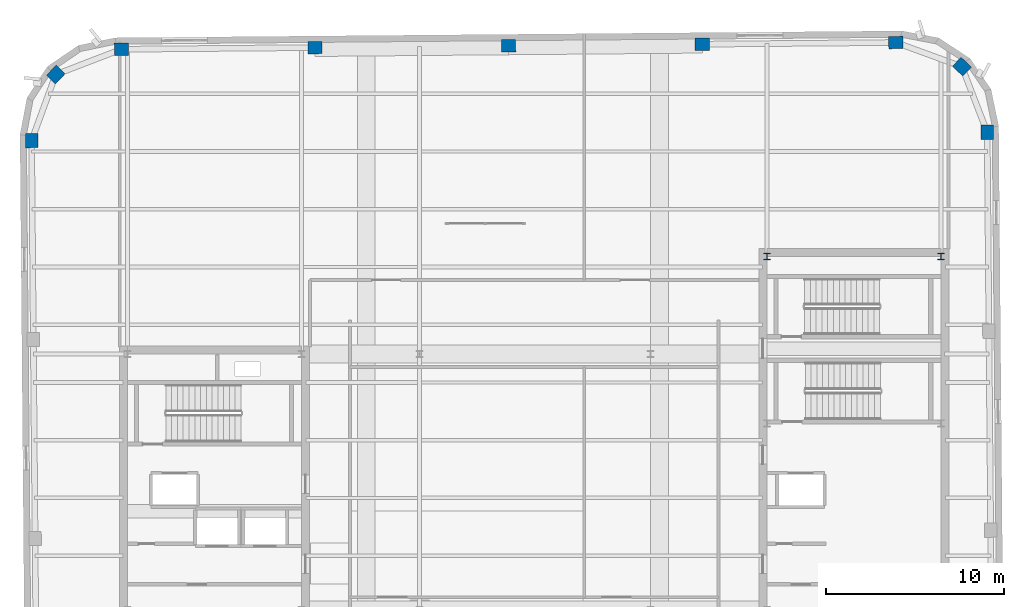
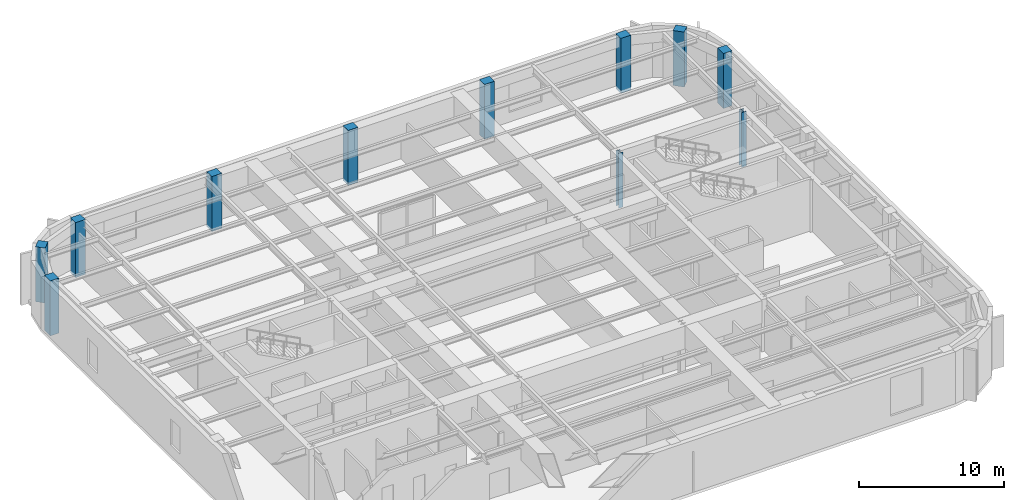
# One storey, part 3 of 14: 11 columns.
"""IFC4 building model written with IfcOpenShell, lengths in metres."""

from ifc_helpers import new_model, si_unit, direction, frame, origin, origin_2d, place, context, subcontext, project, spatial, rectangle, i_section, extrude, material, material_profile, profile_set, type_object, element, save


model = new_model("IFC4")

# Units and contexts
model_context = context("Model", 3, precision=1e-05, world=origin(), true_north=direction((0.0, 1.0)))
body_context = subcontext(model_context, "Body", "Model", "MODEL_VIEW")
ifc_project = project(units=[si_unit("LENGTHUNIT", "METRE"), si_unit("AREAUNIT", "SQUARE_METRE"), si_unit("VOLUMEUNIT", "CUBIC_METRE"), si_unit("PLANEANGLEUNIT", "RADIAN"), si_unit("MASSUNIT", "GRAM", prefix="KILO")], contexts=[model_context])

# Site, building, storey
site_placement = place(None, origin())
site = spatial("IfcSite", under=ifc_project, at=site_placement, CompositionType="ELEMENT")
building_placement = place(site_placement, origin())
building = spatial("IfcBuilding", under=site, at=building_placement, Name="Kolvaren Arena Tower", CompositionType="ELEMENT")
storey_placement = place(building_placement, frame((0.0, 0.0, 317.199951171875)))
storey = spatial("IfcBuildingStorey", under=building, at=storey_placement, Name="L78", CompositionType="ELEMENT", Elevation=317.199951171875)

# Columns
ifc_material_1 = material(Name="Precast concrete C50/60", Category="concrete")
ifc_material_profile_1 = material_profile(ifc_material_1, rectangle(XDim=0.800048828125, YDim=0.699951171875, at=origin_2d()), Name="RC-800x700")
ifc_profile_set_1 = profile_set([ifc_material_profile_1], Name="Precast concrete C50/60")
column_type_1 = type_object("IfcColumnType", Name="EXCOL-Z5", PredefinedType="COLUMN", material=ifc_profile_set_1)
for number, where, z_axis, x_axis, name in (
    (1, (62.952392578125, 46.333984375, -0.239990234375), (0.0, 0.0, 1.0), (-0.008726535498, 0.999961923064, 0.0), "Exoskeleton Perimeter Column 10 (L78)"),
    (2, (61.52880859375, 50.030517578125, -0.239990234375), (0.0, 0.0, 1.0), (-0.713250449154, 0.7009092643, 0.0), "Exoskeleton Perimeter Column 11 (L78)"),
    (3, (57.80810546875, 51.389404296875, -0.239990234375), (0.0, 0.0, 1.0), (0.999961923064, 0.008726535498, 0.0), "Exoskeleton Perimeter Column 12 (L78)"),
    (4, (46.908447265625, 51.294189453125, -0.239990234375), (0.0, 0.0, 1.0), (0.999961923064, 0.008726535498, 0.0), "Exoskeleton Perimeter Column 13 (L78)"),
    (5, (36.0087890625, 51.19921875, -0.239990234375), (0.0, 0.0, 1.0), (0.999961923064, 0.008726535498, 0.0), "Exoskeleton Perimeter Column 14 (L78)"),
    (6, (25.109375, 51.10400390625, -0.239990234375), (0.0, 0.0, 1.0), (0.999961923064, 0.008726535498, 0.0), "Exoskeleton Perimeter Column 15 (L78)"),
    (7, (14.209716796875, 51.0087890625, -0.239990234375), (0.0, 0.0, 1.0), (0.999961923064, 0.008726535498, 0.0), "Exoskeleton Perimeter Column 16 (L78)"),
    (8, (10.51318359375, 49.58544921875, -0.239990234375), (0.0, 0.0, 1.0), (0.7009092643, 0.713250449154, 0.0), "Exoskeleton Perimeter Column 17 (L78)"),
    (9, (9.154296875, 45.864501953125, -0.239990234375), (0.0, 0.0, 1.0), (-0.008726535498, 0.999961923064, 0.0), "Exoskeleton Perimeter Column 18 (L78)"),
):
    element("IfcColumn", number, at=place(storey_placement, frame(where, z_axis=z_axis, x_axis=x_axis)), inside=storey, type_object=column_type_1, Name=name, PredefinedType="COLUMN", context=body_context, shape_type="SweptSolid", body=[
        extrude(rectangle(XDim=0.800048828125, YDim=0.699951171875, at=origin_2d()), origin(), (0.0, 0.0, 1.0), 4.6201171875),
    ])
ifc_material_2 = material(Name="Steel ASTM A913 Grade 65", Category="steel")
ifc_material_profile_2 = material_profile(ifc_material_2, i_section(OverallWidth=0.3740234375, OverallDepth=0.3720703125, WebThickness=0.016357421875, FlangeThickness=0.026123046875, FilletRadius=0.02001953125, at=origin_2d()), Name="W360x196")
ifc_profile_set_2 = profile_set([ifc_material_profile_2], Name="Steel ASTM A913 Grade 65")
column_type_2 = type_object("IfcColumnType", Name="SCOL-Z5", PredefinedType="COLUMN", material=ifc_profile_set_2)
for number, where, z_axis, x_axis, name in (
    (10, (50.550048828125, 39.35009765625, -0.239990234375), (0.0, 0.0, 1.0), (1.0, 0.0, 0.0), "Core Boundary Column EC-NW (L78)"),
    (11, (60.35009765625, 39.35009765625, -0.239990234375), (0.0, 0.0, 1.0), (1.0, 0.0, 0.0), "Core Boundary Column EC-NE (L78)"),
):
    element("IfcColumn", number, at=place(storey_placement, frame(where, z_axis=z_axis, x_axis=x_axis)), inside=storey, type_object=column_type_2, Name=name, PredefinedType="COLUMN", context=body_context, shape_type="SweptSolid", body=[
        extrude(i_section(OverallWidth=0.3740234375, OverallDepth=0.3720703125, WebThickness=0.016357421875, FlangeThickness=0.026123046875, FilletRadius=0.02001953125, at=origin_2d()), origin(), (0.0, 0.0, 1.0), 4.6201171875),
    ])

save(model, "model.ifc")
